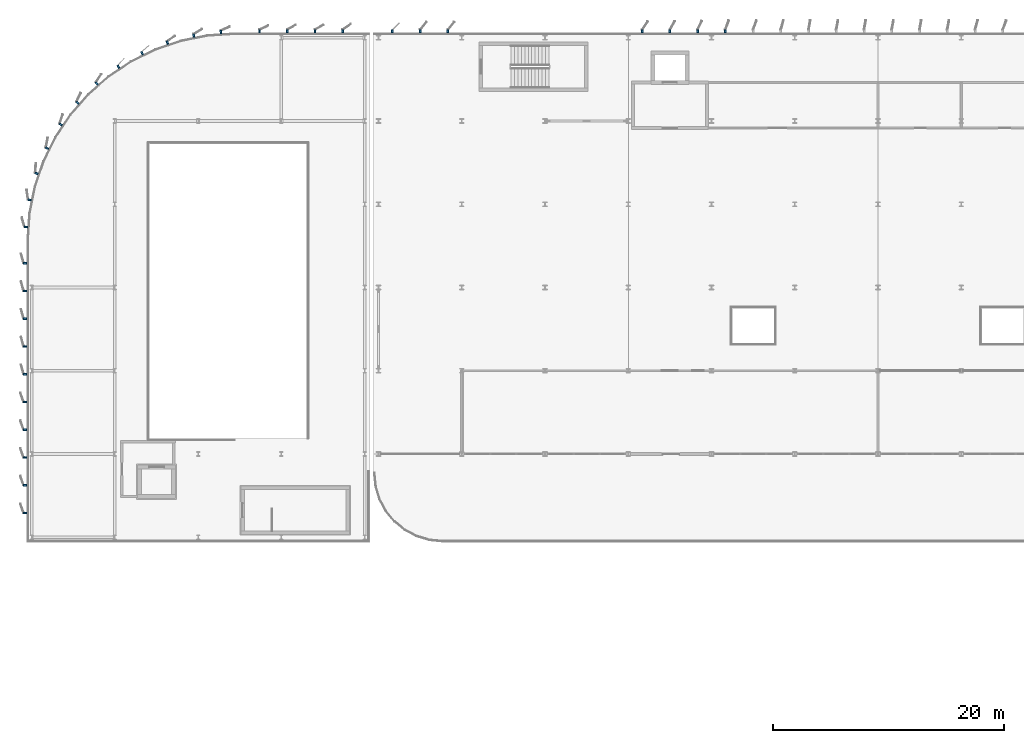
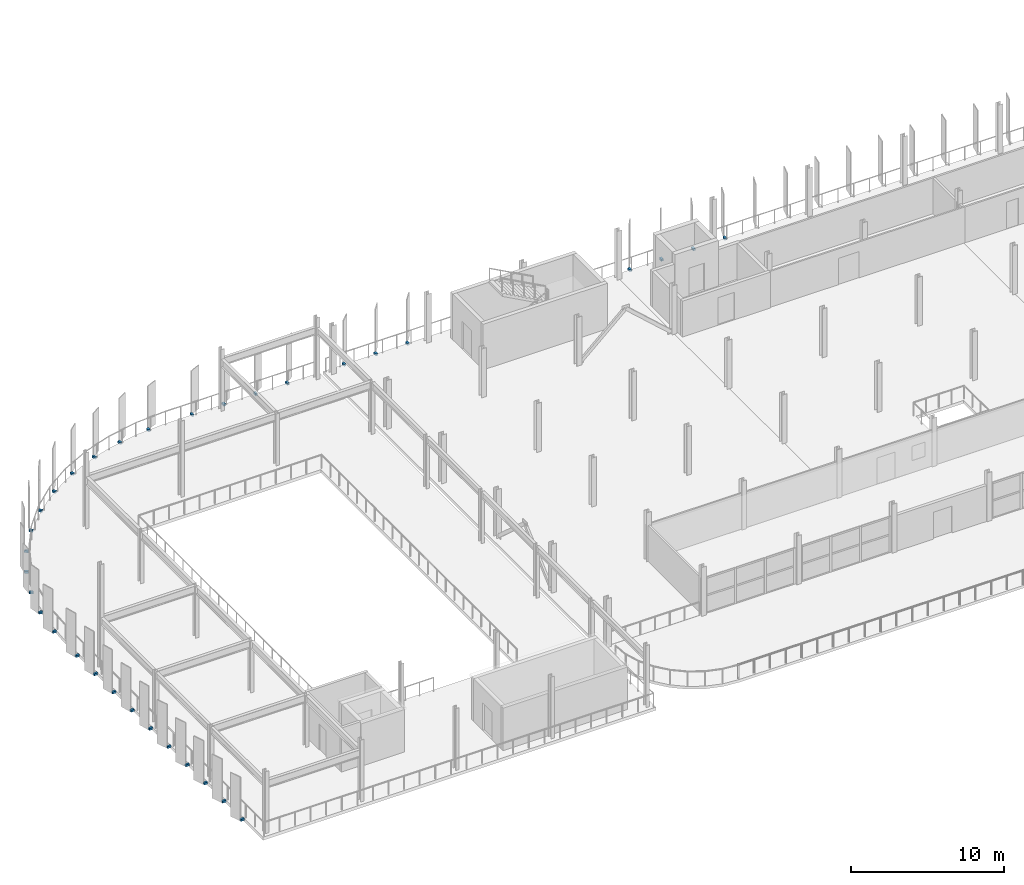
# One storey, part 31 of 40: 33 discrete accessories.
"""IFC4 building model written with IfcOpenShell, lengths in metres."""

import ifcopenshell
import ifcopenshell.guid

model = None  # the IFC model being written
_history = None  # IfcOwnerHistory: only IFC2X3 demands one
_inside = {}  # id of a spatial element -> (the spatial element, [elements in it])
_under = {}  # id of a project, library or spatial element -> (it, [spatial elements below it])
_declared = {}  # id of a project -> (the project, [libraries it declares])
_typed = {}  # id of a type object -> (the type object, [elements of that type])
_made_of = {}  # id of a material, layer set ... -> (it, [elements and type objects made of it])


def new_model(schema):
    """Start an empty IFC model of exactly this schema.

    Asked for "IFC4X3", IfcOpenShell would pick the latest addendum, in which some entities
    have other attributes; the version numbers below select the first issue.
    IFC2X3 requires an IfcOwnerHistory on every rooted entity: one is made here for all.
    """
    global model, _history
    if schema == "IFC4X3":
        model = ifcopenshell.file(schema_version=(4, 3, 0, 0))
    else:
        model = ifcopenshell.file(schema=schema)
    _inside.clear()
    _under.clear()
    _declared.clear()
    _typed.clear()
    _made_of.clear()
    _history = None
    if model.schema == "IFC2X3":
        org = make("IfcOrganization", Name="unknown")
        user = make(
            "IfcPersonAndOrganization",
            ThePerson=make("IfcPerson", FamilyName="unknown"),
            TheOrganization=org,
        )
        app = make(
            "IfcApplication",
            ApplicationDeveloper=org,
            Version="unknown",
            ApplicationFullName="unknown",
            ApplicationIdentifier="unknown",
        )
        _history = make(
            "IfcOwnerHistory",
            OwningUser=user,
            OwningApplication=app,
            ChangeAction="ADDED",
            CreationDate=0,
        )
    return model


def make(cls, **values):
    """One entity of the class cls with the attributes given. An attribute that is None is left unset."""
    return model.create_entity(
        cls, **{name: value for name, value in values.items() if value is not None}
    )


def rooted(cls, **values):
    """An entity with a GlobalId (a new one), such as an element, a storey or a relation."""
    return make(cls, GlobalId=ifcopenshell.guid.new(), OwnerHistory=_history, **values)


def si_unit(unit_type, name, prefix=None):
    """IfcSIUnit, for example si_unit("LENGTHUNIT", "METRE", prefix="MILLI")."""
    return make("IfcSIUnit", UnitType=unit_type, Prefix=prefix, Name=name)


def assignment(units):
    """IfcUnitAssignment: the units of a project."""
    return None if units is None else make("IfcUnitAssignment", Units=units)


def point(xyz):
    """IfcCartesianPoint."""
    return None if xyz is None else make("IfcCartesianPoint", Coordinates=xyz)


def direction(xyz):
    """IfcDirection."""
    return None if xyz is None else make("IfcDirection", DirectionRatios=xyz)


def frame(location, z_axis=None, x_axis=None):
    """IfcAxis2Placement3D, a coordinate frame: its origin and axes. An axis left out is left unset."""
    return make(
        "IfcAxis2Placement3D",
        Location=point(location),
        Axis=direction(z_axis),
        RefDirection=direction(x_axis),
    )


def frame_2d(location, x_axis=None):
    """IfcAxis2Placement2D, a coordinate frame in the plane: its origin and x axis."""
    return make(
        "IfcAxis2Placement2D", Location=point(location), RefDirection=direction(x_axis)
    )


def origin():
    """The frame at (0, 0, 0) with its axes left unset."""
    return frame((0.0, 0.0, 0.0))


def origin_2d():
    """The frame at (0, 0) in the plane with its x axis left unset."""
    return frame_2d((0.0, 0.0))


def place(relative_to, where):
    """IfcLocalPlacement: puts the frame where relative to a parent placement (None: the world)."""
    return make(
        "IfcLocalPlacement", PlacementRelTo=relative_to, RelativePlacement=where
    )


def context(
    kind, dimensions, precision=None, world=None, true_north=None, identifier=None
):
    """IfcGeometricRepresentationContext, for example the 3D "Model" context."""
    return make(
        "IfcGeometricRepresentationContext",
        ContextIdentifier=identifier,
        ContextType=kind,
        CoordinateSpaceDimension=dimensions,
        Precision=precision,
        WorldCoordinateSystem=world,
        TrueNorth=true_north,
    )


def subcontext(parent, identifier, kind, view, scale=None):
    """IfcGeometricRepresentationSubContext, for example "Body" below "Model"."""
    return make(
        "IfcGeometricRepresentationSubContext",
        ContextIdentifier=identifier,
        ContextType=kind,
        ParentContext=parent,
        TargetScale=scale,
        TargetView=view,
    )


def project(units=None, contexts=None):
    """IfcProject with its units and contexts."""
    return rooted(
        "IfcProject",
        Name="project",
        RepresentationContexts=contexts,
        UnitsInContext=assignment(units),
    )


def spatial(cls, under=None, at=None, **own):
    """A site, building, storey or space (cls), placed at a placement, below another one or the project."""
    s = rooted(cls, ObjectPlacement=at, **own)
    if under is not None:
        _under.setdefault(under.id(), (under, []))[1].append(s)
    return s


def profile(cls, at=None, kind="AREA", **sizes):
    """A parametric profile (cls). Its sizes go by their IFC names, for example OverallWidth=200.0."""
    return make(cls, ProfileType=kind, Position=at, **sizes)


def rectangle(**sizes):
    """IfcRectangleProfileDef."""
    return profile("IfcRectangleProfileDef", **sizes)


def extrude(swept, where, along, depth):
    """IfcExtrudedAreaSolid: the profile swept, set in the frame where, extruded along a direction by depth."""
    return make(
        "IfcExtrudedAreaSolid",
        SweptArea=swept,
        Position=where,
        ExtrudedDirection=direction(along),
        Depth=depth,
    )


def shape(context_of_items, identifier, shape_type, items):
    """IfcShapeRepresentation: the items that make up one representation, for example the "Body"."""
    return make(
        "IfcShapeRepresentation",
        ContextOfItems=context_of_items,
        RepresentationIdentifier=identifier,
        RepresentationType=shape_type,
        Items=items,
    )


def material(Name=None, Category=None):
    """IfcMaterial."""
    return make("IfcMaterial", Name=Name, Category=Category)


def made_of(thing, what):
    """Note that an element or type object is made of a material, layer set ...; save() writes the relation."""
    if what is not None:
        _made_of.setdefault(what.id(), (what, []))[1].append(thing)
    return thing


def type_object(cls, material=None, **own):
    """A type object (cls), such as IfcWallType, which elements share."""
    return made_of(rooted(cls, **own), material)


def element(
    cls,
    number,
    at=None,
    inside=None,
    cuts=None,
    type_object=None,
    material=None,
    context=None,
    identifier="Body",
    shape_type=None,
    held_by="IfcProductDefinitionShape",
    body=None,
    shapes=None,
    **own,
):
    """One element of the class cls, such as IfcWall. Its Tag is "e" and its number.

    at: its placement. inside: the storey or other place that contains it. cuts: it is an
    opening in that element (IfcRelVoidsElement). A single representation is given by context,
    identifier, shape_type and body (its items); several are given by shapes. held_by: the class
    of the entity that holds the representations. save() writes the other relations.
    """
    e = rooted(cls, Tag="e%d" % number, ObjectPlacement=at, **own)
    if body is not None:
        shapes = [shape(context, identifier, shape_type, body)]
    if shapes is not None:
        e.Representation = make(held_by, Representations=shapes)
    if inside is not None:
        _inside.setdefault(inside.id(), (inside, []))[1].append(e)
    if cuts is not None:
        rooted(
            "IfcRelVoidsElement", RelatingBuildingElement=cuts, RelatedOpeningElement=e
        )
    if type_object is not None:
        _typed.setdefault(type_object.id(), (type_object, []))[1].append(e)
    return made_of(e, material)


def aggregate(whole, parts):
    """IfcRelAggregates: a whole, such as a stair, and the parts it consists of."""
    return rooted("IfcRelAggregates", RelatingObject=whole, RelatedObjects=parts)


def save(model, path):
    """Write the relations noted so far, then the file.

    IfcRelAggregates (storeys below a building ...), IfcRelContainedInSpatialStructure (elements
    in a storey), IfcRelDefinesByType, IfcRelAssociatesMaterial and IfcRelDeclares: one each for
    every whole, place, type object, material and project.
    """
    for whole, parts in _under.values():
        aggregate(whole, parts)
    for where, things in _inside.values():
        rooted(
            "IfcRelContainedInSpatialStructure",
            RelatedElements=things,
            RelatingStructure=where,
        )
    for kind, things in _typed.values():
        rooted("IfcRelDefinesByType", RelatedObjects=things, RelatingType=kind)
    for what, things in _made_of.values():
        rooted("IfcRelAssociatesMaterial", RelatedObjects=things, RelatingMaterial=what)
    for by, libraries in _declared.values():
        rooted("IfcRelDeclares", RelatingContext=by, RelatedDefinitions=libraries)
    model.write(path)


model = new_model("IFC4")

# Units and contexts
model_context = context("Model", 3, precision=1e-05, world=origin(), true_north=direction((0.0, 1.0)))
body_context = subcontext(model_context, "Body", "Model", "MODEL_VIEW")
ifc_project = project(units=[si_unit("LENGTHUNIT", "METRE"), si_unit("AREAUNIT", "SQUARE_METRE"), si_unit("VOLUMEUNIT", "CUBIC_METRE"), si_unit("PLANEANGLEUNIT", "RADIAN"), si_unit("MASSUNIT", "GRAM", prefix="KILO")], contexts=[model_context])

# Site, building, storey
site_placement = place(None, origin())
site = spatial("IfcSite", under=ifc_project, at=site_placement, CompositionType="ELEMENT")
building_placement = place(site_placement, origin())
building = spatial("IfcBuilding", under=site, at=building_placement, Name="Vaelcorin Mobility Hub", CompositionType="ELEMENT")
storey_placement = place(building_placement, frame((0.0, 0.0, 17.10009765625)))
storey = spatial("IfcBuildingStorey", under=building, at=storey_placement, Name="L04", CompositionType="ELEMENT", Elevation=17.10009765625)

# Discrete accessories
ifc_material = material(Name="Galvanised structural steel ASTM A36", Category="steel")
discrete_accessory_type = type_object("IfcDiscreteAccessoryType", Name="ACC-BRK-FIN", PredefinedType="BRACKET", material=ifc_material)
for number, where, z_axis, x_axis, name in (
    (1, (37.199951171875, 120.570068359375, -0.16015625), (0.0, 0.0, 1.0), (0.0, 1.0, 0.0), "Aerofoil Outrigger Bracket FIN-V4-L04-N-01-BK-01"),
    (2, (39.60009765625, 120.570068359375, -0.16015625), (0.0, 0.0, 1.0), (0.0, 1.0, 0.0), "Aerofoil Outrigger Bracket FIN-V4-L04-N-01-BK-02"),
    (3, (42.0, 120.570068359375, -0.16015625), (0.0, 0.0, 1.0), (0.0, 1.0, 0.0), "Aerofoil Outrigger Bracket FIN-V4-L04-N-01-BK-03"),
    (4, (58.800048828125, 120.570068359375, -0.16015625), (0.0, 0.0, 1.0), (0.0, 1.0, 0.0), "Aerofoil Outrigger Bracket FIN-V4-L04-N-04-BK-01"),
    (5, (61.199951171875, 120.570068359375, -0.16015625), (0.0, 0.0, 1.0), (0.0, 1.0, 0.0), "Aerofoil Outrigger Bracket FIN-V4-L04-N-04-BK-02"),
    (6, (63.60009765625, 120.570068359375, -0.16015625), (0.0, 0.0, 1.0), (0.0, 1.0, 0.0), "Aerofoil Outrigger Bracket FIN-V4-L04-N-04-BK-03"),
    (7, (66.0, 120.570068359375, -0.16015625), (0.0, 0.0, 1.0), (0.0, 1.0, 0.0), "Aerofoil Outrigger Bracket FIN-V4-L04-N-05-BK-01"),
    (8, (25.699951171875, 120.570068359375, -0.16015625), (0.0, 0.0, 1.0), (0.0, 1.0, 0.0), "Aerofoil Outrigger Bracket FIN-V2W-L04-N-BK-01"),
    (9, (28.10009765625, 120.570068359375, -0.16015625), (0.0, 0.0, 1.0), (0.0, 1.0, 0.0), "Aerofoil Outrigger Bracket FIN-V2W-L04-N-BK-02"),
    (10, (30.5, 120.570068359375, -0.16015625), (0.0, 0.0, 1.0), (0.0, 1.0, 0.0), "Aerofoil Outrigger Bracket FIN-V2W-L04-N-BK-03"),
    (11, (32.89990234375, 120.570068359375, -0.16015625), (0.0, 0.0, 1.0), (0.0, 1.0, 0.0), "Aerofoil Outrigger Bracket FIN-V2W-L04-N-BK-04"),
    (12, (22.367919921875, 120.492919921875, -0.16015625), (0.0, 0.0, 1.0), (-0.065420545144, 0.997857781587, 0.0), "Aerofoil Outrigger Bracket FIN-V2W-L04-ABK-01"),
    (13, (20.02294921875, 120.18408203125, -0.16015625), (0.0, 0.0, 1.0), (-0.19488490255, 0.980826118513, 0.0), "Aerofoil Outrigger Bracket FIN-V2W-L04-ABK-02"),
    (14, (17.738037109375, 119.572021484375, -0.16015625), (0.0, 0.0, 1.0), (-0.321571678558, 0.946885238849, 0.0), "Aerofoil Outrigger Bracket FIN-V2W-L04-ABK-03"),
    (15, (15.552978515625, 118.6669921875, -0.16015625), (0.0, 0.0, 1.0), (-0.442445217305, 0.896795533934, 0.0), "Aerofoil Outrigger Bracket FIN-V2W-L04-ABK-04"),
    (16, (13.50390625, 117.48388671875, -0.16015625), (0.0, 0.0, 1.0), (-0.555483158679, 0.831527786922, 0.0), "Aerofoil Outrigger Bracket FIN-V2W-L04-ABK-05"),
    (17, (11.6279296875, 116.0439453125, -0.16015625), (0.0, 0.0, 1.0), (-0.659280202189, 0.751897343393, 0.0), "Aerofoil Outrigger Bracket FIN-V2W-L04-ABK-06"),
    (18, (9.9560546875, 114.3720703125, -0.16015625), (0.0, 0.0, 1.0), (-0.751897343393, 0.659280202189, 0.0), "Aerofoil Outrigger Bracket FIN-V2W-L04-ABK-07"),
    (19, (8.51611328125, 112.49609375, -0.16015625), (0.0, 0.0, 1.0), (-0.831527786922, 0.555483158679, 0.0), "Aerofoil Outrigger Bracket FIN-V2W-L04-ABK-08"),
    (20, (7.3330078125, 110.447021484375, -0.16015625), (0.0, 0.0, 1.0), (-0.896795533934, 0.442445217305, 0.0), "Aerofoil Outrigger Bracket FIN-V2W-L04-ABK-09"),
    (21, (6.427978515625, 108.261962890625, -0.16015625), (0.0, 0.0, 1.0), (-0.946885238849, 0.321571678558, 0.0), "Aerofoil Outrigger Bracket FIN-V2W-L04-ABK-10"),
    (22, (5.81591796875, 105.97705078125, -0.16015625), (0.0, 0.0, 1.0), (-0.980826118513, 0.19488490255, 0.0), "Aerofoil Outrigger Bracket FIN-V2W-L04-ABK-11"),
    (23, (5.507080078125, 103.632080078125, -0.16015625), (0.0, 0.0, 1.0), (-0.997857781587, 0.065420545144, 0.0), "Aerofoil Outrigger Bracket FIN-V2W-L04-ABK-12"),
    (24, (5.429931640625, 78.89990234375, -0.16015625), (0.0, 0.0, 1.0), (-1.0, 0.0, 0.0), "Aerofoil Outrigger Bracket FIN-V2W-L04-W-BK-01"),
    (25, (5.429931640625, 81.300048828125, -0.16015625), (0.0, 0.0, 1.0), (-1.0, 0.0, 0.0), "Aerofoil Outrigger Bracket FIN-V2W-L04-W-BK-02"),
    (26, (5.429931640625, 83.699951171875, -0.16015625), (0.0, 0.0, 1.0), (-1.0, 0.0, 0.0), "Aerofoil Outrigger Bracket FIN-V2W-L04-W-BK-03"),
    (27, (5.429931640625, 86.10009765625, -0.16015625), (0.0, 0.0, 1.0), (-1.0, 0.0, 0.0), "Aerofoil Outrigger Bracket FIN-V2W-L04-W-BK-04"),
    (28, (5.429931640625, 88.5, -0.16015625), (0.0, 0.0, 1.0), (-1.0, 0.0, 0.0), "Aerofoil Outrigger Bracket FIN-V2W-L04-W-BK-05"),
    (29, (5.429931640625, 90.89990234375, -0.16015625), (0.0, 0.0, 1.0), (-1.0, 0.0, 0.0), "Aerofoil Outrigger Bracket FIN-V2W-L04-W-BK-06"),
    (30, (5.429931640625, 93.300048828125, -0.16015625), (0.0, 0.0, 1.0), (-1.0, 0.0, 0.0), "Aerofoil Outrigger Bracket FIN-V2W-L04-W-BK-07"),
    (31, (5.429931640625, 95.699951171875, -0.16015625), (0.0, 0.0, 1.0), (-1.0, 0.0, 0.0), "Aerofoil Outrigger Bracket FIN-V2W-L04-W-BK-08"),
    (32, (5.429931640625, 98.10009765625, -0.16015625), (0.0, 0.0, 1.0), (-1.0, 0.0, 0.0), "Aerofoil Outrigger Bracket FIN-V2W-L04-W-BK-09"),
    (33, (5.429931640625, 100.5, -0.16015625), (0.0, 0.0, 1.0), (-1.0, 0.0, 0.0), "Aerofoil Outrigger Bracket FIN-V2W-L04-W-BK-10"),
):
    element("IfcDiscreteAccessory", number, at=place(storey_placement, frame(where, z_axis=z_axis, x_axis=x_axis)), inside=storey, type_object=discrete_accessory_type, Name=name, PredefinedType="BRACKET", context=body_context, shape_type="SweptSolid", body=[
        extrude(rectangle(XDim=0.280029296875, YDim=0.159912109375, at=origin_2d()), origin(), (0.0, 0.0, 1.0), 0.159912109375),
    ])

save(model, "model.ifc")
